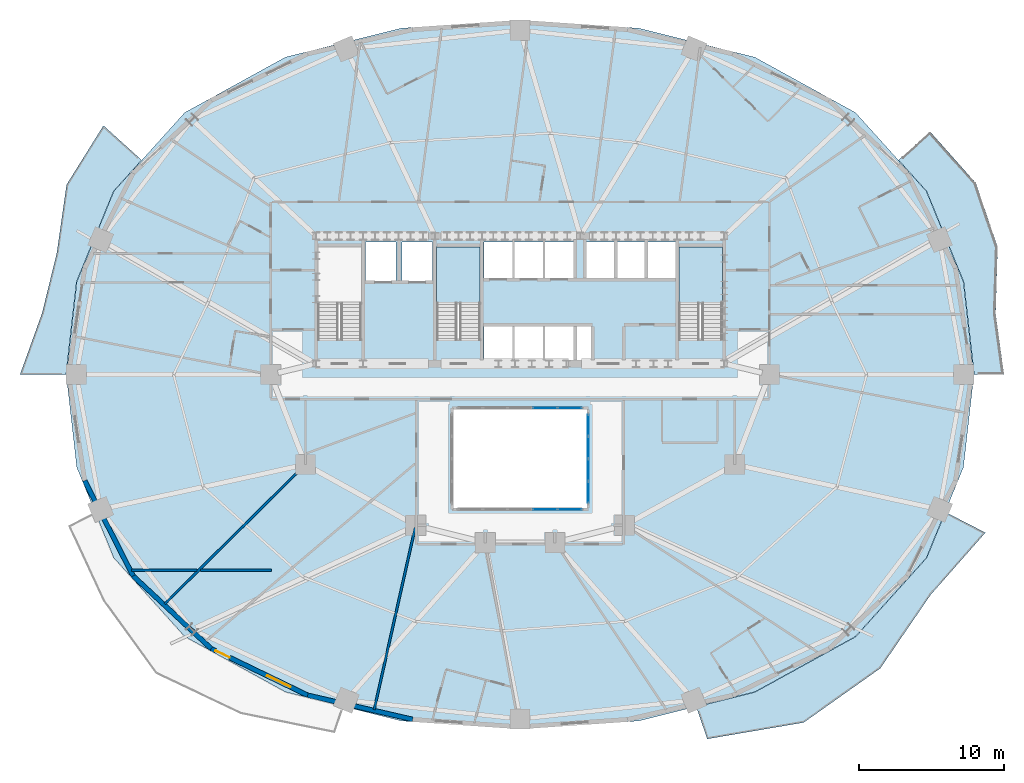
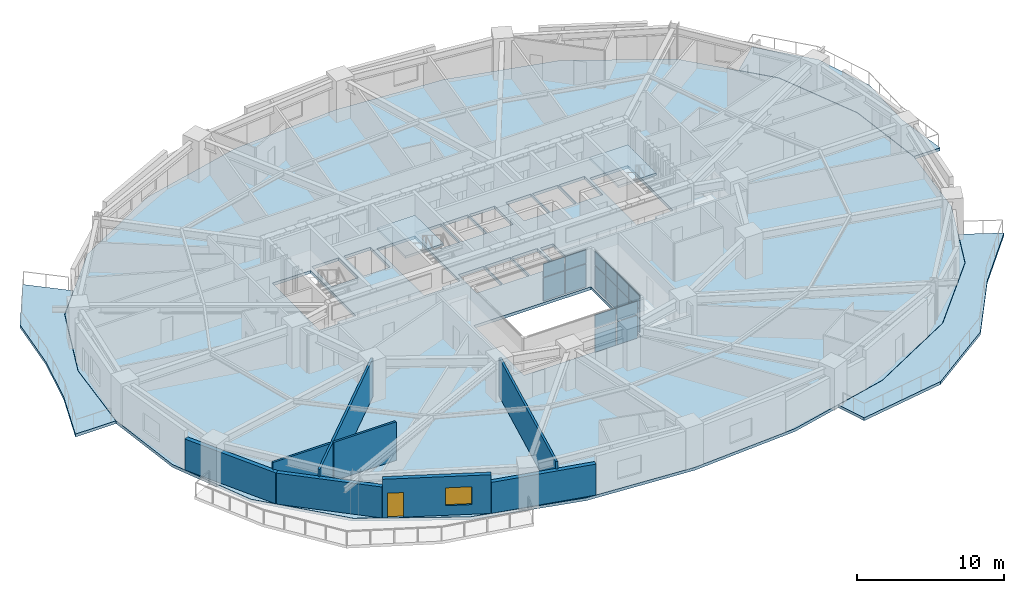
# One storey, part 8 of 17: 16 plates, 8 walls, 6 slabs, 1 door, 1 window, 2 openings, 5 elements without a shape of their own.
"""IFC4 building model written with IfcOpenShell, lengths in metres."""

from ifc_helpers import new_model, si_unit, direction, frame, frame_2d, origin, origin_2d, place, context, subcontext, project, spatial, polyline, rectangle, outline, extrude, material, layer, layer_set, type_object, element, fill, aggregate, save


model = new_model("IFC4")

# Units and contexts
model_context = context("Model", 3, precision=1e-05, world=origin(), true_north=direction((0.0, 1.0)))
body_context = subcontext(model_context, "Body", "Model", "MODEL_VIEW")
ifc_project = project(units=[si_unit("LENGTHUNIT", "METRE"), si_unit("AREAUNIT", "SQUARE_METRE"), si_unit("VOLUMEUNIT", "CUBIC_METRE"), si_unit("PLANEANGLEUNIT", "RADIAN"), si_unit("MASSUNIT", "GRAM", prefix="KILO")], contexts=[model_context])

# Site, building, storey
site_placement = place(None, origin())
site = spatial("IfcSite", under=ifc_project, at=site_placement, CompositionType="ELEMENT")
building_placement = place(site_placement, origin())
building = spatial("IfcBuilding", under=site, at=building_placement, Name="Haldorwick Loom Tower", CompositionType="ELEMENT")
storey_placement = place(building_placement, frame((0.0, 0.0, 51.60009765625)))
storey = spatial("IfcBuildingStorey", under=building, at=storey_placement, Name="L13", CompositionType="ELEMENT", Elevation=51.60009765625)

# Curtain wall, plates
ifc_material_1 = material(Name="Thermally Broken Anodized Aluminium Curtain Wall Framing", Category="aluminium")
curtain_wall_type = type_object("IfcCurtainWallType", Name="ARC-CW-03", PredefinedType="NOTDEFINED", material=ifc_material_1)
curtain_wall_1_placement = place(storey_placement, origin())
curtain_wall_1 = element("IfcCurtainWall", 1, at=curtain_wall_1_placement, inside=storey, type_object=curtain_wall_type, Name="L13 Atrium Glazed Screen S", PredefinedType="NOTDEFINED")
ifc_material_2 = material(Name="Triple-Glazed Low-E Argon Insulated Glazing Unit", Category="glass")
ifc_layer_1 = layer(ifc_material_2, 0.04296875, Name="Triple-Glazed Low-E Argon Insulated Glazing Unit", Category="glass")
ifc_layer_set_1 = layer_set([ifc_layer_1], Name="Triple-Glazed Low-E Argon Insulated Glazing Unit")
plate_type = type_object("IfcPlateType", Name="ARC-CWP-03", PredefinedType="CURTAIN_PANEL", material=ifc_layer_set_1)
plate_1_placement = place(storey_placement, frame((39.423583984375, 16.699951171875, 0.06591796875), z_axis=(0.0, 0.0, 1.0), x_axis=(-1.0, 0.0, 0.0)))
plate_1 = element("IfcPlate", 2, at=plate_1_placement, type_object=plate_type, Name="CW-03 panel 1.1", PredefinedType="CURTAIN_PANEL", context=body_context, shape_type="SweptSolid", body=[
    extrude(rectangle(XDim=1.62109375, YDim=0.04296875, at=origin_2d()), origin(), (0.0, 0.0, 1.0), 1.90087890625),
])
plate_2_placement = place(storey_placement, frame((39.423583984375, 16.699951171875, 2.03271484375), z_axis=(0.0, 0.0, 1.0), x_axis=(-1.0, 0.0, 0.0)))
plate_2 = element("IfcPlate", 3, at=plate_2_placement, type_object=plate_type, Name="CW-03 panel 1.2", PredefinedType="CURTAIN_PANEL", context=body_context, shape_type="SweptSolid", body=[
    extrude(rectangle(XDim=1.62109375, YDim=0.04296875, at=origin_2d()), origin(), (0.0, 0.0, 1.0), 1.111083984375),
])
plate_3_placement = place(storey_placement, frame((37.719970703125, 16.699951171875, 0.06591796875), z_axis=(0.0, 0.0, 1.0), x_axis=(-1.0, 0.0, 0.0)))
plate_3 = element("IfcPlate", 4, at=plate_3_placement, type_object=plate_type, Name="CW-03 panel 2.1", PredefinedType="CURTAIN_PANEL", context=body_context, shape_type="SweptSolid", body=[
    extrude(rectangle(XDim=1.654052734375, YDim=0.04296875, at=origin_2d()), origin(), (0.0, 0.0, 1.0), 1.90087890625),
])
plate_4_placement = place(storey_placement, frame((37.719970703125, 16.699951171875, 2.03271484375), z_axis=(0.0, 0.0, 1.0), x_axis=(-1.0, 0.0, 0.0)))
plate_4 = element("IfcPlate", 5, at=plate_4_placement, type_object=plate_type, Name="CW-03 panel 2.2", PredefinedType="CURTAIN_PANEL", context=body_context, shape_type="SweptSolid", body=[
    extrude(rectangle(XDim=1.654052734375, YDim=0.04296875, at=origin_2d()), origin(), (0.0, 0.0, 1.0), 1.111083984375),
])
aggregate(curtain_wall_1, [plate_1, plate_2, plate_3, plate_4])

curtain_wall_2_placement = place(storey_placement, origin())
curtain_wall_2 = element("IfcCurtainWall", 6, at=curtain_wall_2_placement, inside=storey, type_object=curtain_wall_type, Name="L13 Atrium Glazed Screen N", PredefinedType="NOTDEFINED")
plate_5_placement = place(storey_placement, frame((37.719970703125, 23.699951171875, 0.06591796875), z_axis=(0.0, 0.0, 1.0), x_axis=(1.0, 0.0, 0.0)))
plate_5 = element("IfcPlate", 7, at=plate_5_placement, type_object=plate_type, Name="CW-03 panel 4.1", PredefinedType="CURTAIN_PANEL", context=body_context, shape_type="SweptSolid", body=[
    extrude(rectangle(XDim=1.654052734375, YDim=0.04296875, at=origin_2d()), origin(), (0.0, 0.0, 1.0), 1.90087890625),
])
plate_6_placement = place(storey_placement, frame((37.719970703125, 23.699951171875, 2.03271484375), z_axis=(0.0, 0.0, 1.0), x_axis=(1.0, 0.0, 0.0)))
plate_6 = element("IfcPlate", 8, at=plate_6_placement, type_object=plate_type, Name="CW-03 panel 4.2", PredefinedType="CURTAIN_PANEL", context=body_context, shape_type="SweptSolid", body=[
    extrude(rectangle(XDim=1.654052734375, YDim=0.04296875, at=origin_2d()), origin(), (0.0, 0.0, 1.0), 1.111083984375),
])
plate_7_placement = place(storey_placement, frame((39.423583984375, 23.699951171875, 0.06591796875), z_axis=(0.0, 0.0, 1.0), x_axis=(1.0, 0.0, 0.0)))
plate_7 = element("IfcPlate", 9, at=plate_7_placement, type_object=plate_type, Name="CW-03 panel 5.1", PredefinedType="CURTAIN_PANEL", context=body_context, shape_type="SweptSolid", body=[
    extrude(rectangle(XDim=1.62109375, YDim=0.04296875, at=origin_2d()), origin(), (0.0, 0.0, 1.0), 1.90087890625),
])
plate_8_placement = place(storey_placement, frame((39.423583984375, 23.699951171875, 2.03271484375), z_axis=(0.0, 0.0, 1.0), x_axis=(1.0, 0.0, 0.0)))
plate_8 = element("IfcPlate", 10, at=plate_8_placement, type_object=plate_type, Name="CW-03 panel 5.2", PredefinedType="CURTAIN_PANEL", context=body_context, shape_type="SweptSolid", body=[
    extrude(rectangle(XDim=1.62109375, YDim=0.04296875, at=origin_2d()), origin(), (0.0, 0.0, 1.0), 1.111083984375),
])
aggregate(curtain_wall_2, [plate_5, plate_6, plate_7, plate_8])

curtain_wall_3_placement = place(storey_placement, origin())
curtain_wall_3 = element("IfcCurtainWall", 11, at=curtain_wall_3_placement, inside=storey, type_object=curtain_wall_type, Name="L13 Atrium Glazed Screen E", PredefinedType="NOTDEFINED")
plate_9_placement = place(storey_placement, frame((40.699951171875, 22.508544921875, 0.06591796875), z_axis=(0.0, 0.0, 1.0), x_axis=(0.0, -1.0, 0.0)))
plate_9 = element("IfcPlate", 12, at=plate_9_placement, type_object=plate_type, Name="CW-03 panel 1.1", PredefinedType="CURTAIN_PANEL", context=body_context, shape_type="SweptSolid", body=[
    extrude(rectangle(XDim=1.450927734375, YDim=0.04296875, at=origin_2d()), origin(), (0.0, 0.0, 1.0), 1.90087890625),
])
plate_10_placement = place(storey_placement, frame((40.699951171875, 22.508544921875, 2.03271484375), z_axis=(0.0, 0.0, 1.0), x_axis=(0.0, -1.0, 0.0)))
plate_10 = element("IfcPlate", 13, at=plate_10_placement, type_object=plate_type, Name="CW-03 panel 1.2", PredefinedType="CURTAIN_PANEL", context=body_context, shape_type="SweptSolid", body=[
    extrude(rectangle(XDim=1.450927734375, YDim=0.04296875, at=origin_2d()), origin(), (0.0, 0.0, 1.0), 1.111083984375),
])
plate_11_placement = place(storey_placement, frame((40.699951171875, 20.97509765625, 0.06591796875), z_axis=(0.0, 0.0, 1.0), x_axis=(0.0, -1.0, 0.0)))
plate_11 = element("IfcPlate", 14, at=plate_11_placement, type_object=plate_type, Name="CW-03 panel 2.1", PredefinedType="CURTAIN_PANEL", context=body_context, shape_type="SweptSolid", body=[
    extrude(rectangle(XDim=1.48388671875, YDim=0.04296875, at=origin_2d()), origin(), (0.0, 0.0, 1.0), 1.90087890625),
])
plate_12_placement = place(storey_placement, frame((40.699951171875, 20.97509765625, 2.03271484375), z_axis=(0.0, 0.0, 1.0), x_axis=(0.0, -1.0, 0.0)))
plate_12 = element("IfcPlate", 15, at=plate_12_placement, type_object=plate_type, Name="CW-03 panel 2.2", PredefinedType="CURTAIN_PANEL", context=body_context, shape_type="SweptSolid", body=[
    extrude(rectangle(XDim=1.48388671875, YDim=0.04296875, at=origin_2d()), origin(), (0.0, 0.0, 1.0), 1.111083984375),
])
plate_13_placement = place(storey_placement, frame((40.699951171875, 19.425048828125, 0.06591796875), z_axis=(0.0, 0.0, 1.0), x_axis=(0.0, -1.0, 0.0)))
plate_13 = element("IfcPlate", 16, at=plate_13_placement, type_object=plate_type, Name="CW-03 panel 3.1", PredefinedType="CURTAIN_PANEL", context=body_context, shape_type="SweptSolid", body=[
    extrude(rectangle(XDim=1.48388671875, YDim=0.04296875, at=origin_2d()), origin(), (0.0, 0.0, 1.0), 1.90087890625),
])
plate_14_placement = place(storey_placement, frame((40.699951171875, 19.425048828125, 2.03271484375), z_axis=(0.0, 0.0, 1.0), x_axis=(0.0, -1.0, 0.0)))
plate_14 = element("IfcPlate", 17, at=plate_14_placement, type_object=plate_type, Name="CW-03 panel 3.2", PredefinedType="CURTAIN_PANEL", context=body_context, shape_type="SweptSolid", body=[
    extrude(rectangle(XDim=1.48388671875, YDim=0.04296875, at=origin_2d()), origin(), (0.0, 0.0, 1.0), 1.111083984375),
])
plate_15_placement = place(storey_placement, frame((40.699951171875, 17.8916015625, 0.06591796875), z_axis=(0.0, 0.0, 1.0), x_axis=(0.0, -1.0, 0.0)))
plate_15 = element("IfcPlate", 18, at=plate_15_placement, type_object=plate_type, Name="CW-03 panel 4.1", PredefinedType="CURTAIN_PANEL", context=body_context, shape_type="SweptSolid", body=[
    extrude(rectangle(XDim=1.450927734375, YDim=0.04296875, at=origin_2d()), origin(), (0.0, 0.0, 1.0), 1.90087890625),
])
plate_16_placement = place(storey_placement, frame((40.699951171875, 17.8916015625, 2.03271484375), z_axis=(0.0, 0.0, 1.0), x_axis=(0.0, -1.0, 0.0)))
plate_16 = element("IfcPlate", 19, at=plate_16_placement, type_object=plate_type, Name="CW-03 panel 4.2", PredefinedType="CURTAIN_PANEL", context=body_context, shape_type="SweptSolid", body=[
    extrude(rectangle(XDim=1.450927734375, YDim=0.04296875, at=origin_2d()), origin(), (0.0, 0.0, 1.0), 1.111083984375),
])
aggregate(curtain_wall_3, [plate_9, plate_10, plate_11, plate_12, plate_13, plate_14, plate_15, plate_16])

# Slabs
ifc_material_3 = material(Name="Concrete C40 (40 MPa)", Category="concrete")
ifc_layer_2 = layer(ifc_material_3, 0.239990234375, Name="Concrete C40 (40 MPa)", Category="concrete")
ifc_layer_set_2 = layer_set([ifc_layer_2], Name="Concrete C40 (40 MPa)")
slab_type_1 = type_object("IfcSlabType", Name="STR-SLB-BAL240", PredefinedType="FLOOR", material=ifc_layer_set_2)
slab_1_placement = place(storey_placement, frame((0.0, 0.0, -0.239990234375)))
element("IfcSlab", 20, at=slab_1_placement, inside=storey, type_object=slab_type_1, Name="L13 Sinusoidal Balcony Terrace BAL_SE", PredefinedType="FLOOR", context=body_context, shape_type="SweptSolid", body=[
    extrude(outline(polyline([(65.324462890625, 16.517333984375), (64.031494140625, 13.356689453125), (64.031005859375, 13.355712890625), (64.030517578125, 13.3544921875), (64.02978515625, 13.353515625), (64.02880859375, 13.3525390625), (59.13623046875, 7.92333984375), (59.13525390625, 7.922119140625), (59.1337890625, 7.921142578125), (59.13232421875, 7.92041015625), (52.18310546875, 4.09814453125), (52.18212890625, 4.097412109375), (52.180908203125, 4.096923828125), (52.1796875, 4.0966796875), (48.152587890625, 3.09130859375), (48.90283203125, 0.873046875), (55.558837890625, 2.0087890625), (60.8359375, 5.743896484375), (64.298095703125, 10.80224609375), (68.083740234375, 15.09716796875), (65.324462890625, 16.517333984375)])), origin(), (0.0, 0.0, 1.0), 0.239990234375),
])
slab_2_placement = place(storey_placement, frame((0.0, 0.0, -0.239990234375)))
element("IfcSlab", 21, at=slab_2_placement, inside=storey, type_object=slab_type_1, Name="L13 Sinusoidal Balcony Terrace BAL_WNW", PredefinedType="FLOOR", context=body_context, shape_type="SweptSolid", body=[
    extrude(outline(polyline([(4.68896484375, 26.0), (4.689208984375, 26.001708984375), (5.41552734375, 32.40087890625), (5.415771484375, 32.40234375), (5.416015625, 32.40380859375), (5.41650390625, 32.405029296875), (7.968505859375, 38.643310546875), (7.968994140625, 38.644287109375), (7.969482421875, 38.6455078125), (7.97021484375, 38.646484375), (7.97119140625, 38.6474609375), (9.901611328125, 40.789794921875), (7.270751953125, 43.16943359375), (4.729736328125, 39.09912109375), (4.054443359375, 34.3876953125), (3.037353515625, 30.230224609375), (1.515625, 26.0), (4.68896484375, 26.0)])), origin(), (0.0, 0.0, 1.0), 0.239990234375),
])
slab_3_placement = place(storey_placement, frame((0.0, 0.0, -0.239990234375)))
element("IfcSlab", 22, at=slab_3_placement, inside=storey, type_object=slab_type_1, Name="L13 Sinusoidal Balcony Terrace BAL_ENE", PredefinedType="FLOOR", context=body_context, shape_type="SweptSolid", body=[
    extrude(outline(polyline([(62.0986328125, 40.78955078125), (64.02880859375, 38.6474609375), (64.02978515625, 38.646484375), (64.030517578125, 38.6455078125), (64.031005859375, 38.644287109375), (64.031494140625, 38.643310546875), (66.58349609375, 32.405029296875), (66.583984375, 32.40380859375), (66.584228515625, 32.40234375), (66.58447265625, 32.40087890625), (67.310791015625, 26.001708984375), (67.31103515625, 26.0), (69.36767578125, 26.0), (68.79150390625, 30.195556640625), (68.92626953125, 34.795654296875), (67.42822265625, 39.202392578125), (64.275146484375, 42.747314453125), (62.0986328125, 40.78955078125)])), origin(), (0.0, 0.0, 1.0), 0.239990234375),
])

# Stair, slab
stair_type = type_object("IfcStairType", Name="STR-STR-CORE", PredefinedType="HALF_TURN_STAIR", material=ifc_material_3)
stair_1_placement = place(storey_placement, origin())
stair_1 = element("IfcStair", 23, at=stair_1_placement, inside=storey, type_object=stair_type, Name="L13 Exit Stair ST-02", PredefinedType="HALF_TURN_STAIR")
ifc_layer_3 = layer(ifc_material_3, 0.199951171875, Name="Concrete C40 (40 MPa)", Category="concrete")
ifc_layer_set_3 = layer_set([ifc_layer_3], Name="Concrete C40 (40 MPa)")
slab_type_2 = type_object("IfcSlabType", Name="STR-SLB-LAND200", PredefinedType="LANDING", material=ifc_layer_set_3)
slab_4_placement = place(storey_placement, frame((0.0, 0.0, 1.52490234375)))
slab_4 = element("IfcSlab", 24, at=slab_4_placement, type_object=slab_type_2, Name="ST-02 landing 1", PredefinedType="LANDING", context=body_context, shape_type="SweptSolid", body=[
    extrude(outline(polyline([(49.949951171875, 30.919921875), (49.949951171875, 34.800048828125), (46.949951171875, 34.800048828125), (46.949951171875, 30.919921875), (49.949951171875, 30.919921875)])), origin(), (0.0, 0.0, 1.0), 0.199951171875),
])
aggregate(stair_1, [slab_4])

stair_2_placement = place(storey_placement, origin())
stair_2 = element("IfcStair", 25, at=stair_2_placement, inside=storey, type_object=stair_type, Name="L13 Exit Stair ST-03", PredefinedType="HALF_TURN_STAIR")
slab_5_placement = place(storey_placement, frame((0.0, 0.0, 1.52490234375)))
slab_5 = element("IfcSlab", 26, at=slab_5_placement, type_object=slab_type_2, Name="ST-03 landing 1", PredefinedType="LANDING", context=body_context, shape_type="SweptSolid", body=[
    extrude(outline(polyline([(33.25, 30.919921875), (33.25, 34.800048828125), (30.25, 34.800048828125), (30.25, 30.919921875), (33.25, 30.919921875)])), origin(), (0.0, 0.0, 1.0), 0.199951171875),
])
aggregate(stair_2, [slab_5])

# Slab
ifc_layer_4 = layer(ifc_material_3, 0.239990234375, Name="Concrete C40 (40 MPa)", Category="concrete")
ifc_layer_set_4 = layer_set([ifc_layer_4], Name="Concrete C40 (40 MPa)")
slab_type_3 = type_object("IfcSlabType", Name="STR-SLB-RES240", PredefinedType="FLOOR", material=ifc_layer_set_4)
slab_6_placement = place(storey_placement, frame((0.0, 0.0, -0.239990234375)))
element("IfcSlab", 27, at=slab_6_placement, inside=storey, type_object=slab_type_3, Name="L13 Residential Structural Floor Slab", PredefinedType="FLOOR", context=body_context, shape_type="SweptSolid", body=[
    extrude(outline(polyline([(59.125244140625, 7.933349609375), (64.017578125, 13.362548828125), (66.569580078125, 19.6005859375), (67.2958984375, 26.0), (66.569580078125, 32.3994140625), (64.017578125, 38.637451171875), (59.125244140625, 44.066650390625), (52.176025390625, 47.888916015625), (44.191162109375, 49.882568359375), (36.0, 50.449951171875), (27.808837890625, 49.882568359375), (19.823974609375, 47.888916015625), (12.874755859375, 44.066650390625), (7.982421875, 38.637451171875), (5.430419921875, 32.3994140625), (4.7041015625, 26.0), (5.430419921875, 19.6005859375), (7.982421875, 13.362548828125), (12.874755859375, 7.933349609375), (19.823974609375, 4.111083984375), (27.808837890625, 2.117431640625), (36.0, 1.550048828125), (44.191162109375, 2.117431640625), (52.176025390625, 4.111083984375), (59.125244140625, 7.933349609375)]), holes=[polyline([(31.39990234375, 23.60009765625), (40.60009765625, 23.60009765625), (40.60009765625, 16.800048828125), (31.39990234375, 16.800048828125), (31.39990234375, 23.60009765625)]), polyline([(33.5, 26.85009765625), (33.5, 29.35009765625), (35.5, 29.35009765625), (35.5, 26.85009765625), (33.5, 26.85009765625)]), polyline([(22.050048828125, 28.39990234375), (22.050048828125, 34.800048828125), (25.050048828125, 34.800048828125), (25.050048828125, 28.639892578125), (23.6201171875, 28.639892578125), (23.6201171875, 28.39990234375), (22.050048828125, 28.39990234375)]), polyline([(30.25, 28.39990234375), (30.25, 34.800048828125), (33.25, 34.800048828125), (33.25, 28.639892578125), (31.820068359375, 28.639892578125), (31.820068359375, 28.39990234375), (30.25, 28.39990234375)]), polyline([(25.35009765625, 32.449951171875), (25.35009765625, 35.14990234375), (27.449951171875, 35.14990234375), (27.449951171875, 32.449951171875), (25.35009765625, 32.449951171875)]), polyline([(27.85009765625, 32.449951171875), (27.85009765625, 35.14990234375), (29.949951171875, 35.14990234375), (29.949951171875, 32.449951171875), (27.85009765625, 32.449951171875)]), polyline([(33.5, 32.64990234375), (33.5, 35.14990234375), (35.5, 35.14990234375), (35.5, 32.64990234375), (33.5, 32.64990234375)]), polyline([(35.60009765625, 32.64990234375), (35.60009765625, 35.14990234375), (37.60009765625, 35.14990234375), (37.60009765625, 32.64990234375), (35.60009765625, 32.64990234375)]), polyline([(35.60009765625, 26.85009765625), (35.60009765625, 29.35009765625), (37.60009765625, 29.35009765625), (37.60009765625, 26.85009765625), (35.60009765625, 26.85009765625)]), polyline([(37.699951171875, 26.85009765625), (37.699951171875, 29.35009765625), (39.699951171875, 29.35009765625), (39.699951171875, 26.85009765625), (37.699951171875, 26.85009765625)]), polyline([(39.89990234375, 26.89990234375), (39.89990234375, 29.300048828125), (40.89990234375, 29.300048828125), (40.89990234375, 26.89990234375), (39.89990234375, 26.89990234375)]), polyline([(46.949951171875, 28.39990234375), (46.949951171875, 34.800048828125), (49.949951171875, 34.800048828125), (49.949951171875, 28.639892578125), (48.52001953125, 28.639892578125), (48.52001953125, 28.39990234375), (46.949951171875, 28.39990234375)]), polyline([(37.699951171875, 32.64990234375), (37.699951171875, 35.14990234375), (39.699951171875, 35.14990234375), (39.699951171875, 32.64990234375), (37.699951171875, 32.64990234375)]), polyline([(40.550048828125, 32.64990234375), (40.550048828125, 35.14990234375), (42.550048828125, 35.14990234375), (42.550048828125, 32.64990234375), (40.550048828125, 32.64990234375)]), polyline([(42.64990234375, 32.64990234375), (42.64990234375, 35.14990234375), (44.64990234375, 35.14990234375), (44.64990234375, 32.64990234375), (42.64990234375, 32.64990234375)]), polyline([(44.75, 32.64990234375), (44.75, 35.14990234375), (46.75, 35.14990234375), (46.75, 32.64990234375), (44.75, 32.64990234375)])]), origin(), (0.0, 0.0, 1.0), 0.239990234375),
])

# Walls
ifc_material_4 = material(Name="Pressed Clay Face Brick and Insulated Masonry Backup Assembly", Category="masonry")
ifc_layer_5 = layer(ifc_material_4, 0.320068359375, Name="Pressed Clay Face Brick and Insulated Masonry Backup Assembly", Category="masonry")
ifc_layer_set_5 = layer_set([ifc_layer_5], Name="Pressed Clay Face Brick and Insulated Masonry Backup Assembly")
wall_type_1 = type_object("IfcWallType", Name="ARC-WL-EXT320", PredefinedType="STANDARD", material=ifc_layer_set_5)
for number, where, z_axis, x_axis, name in (
    (28, (5.978271484375, 18.679443359375, 0.0), (0.0, 0.0, 1.0), (0.452950855928, -0.891535485617, 0.0), "L13 Brick Pier and Spandrel Wall 14"),
    (29, (9.311279296875, 12.119140625, 0.0), (0.0, 0.0, 1.0), (0.73176101237, -0.681561311091, 0.0), "L13 Brick Pier and Spandrel Wall 15"),
):
    element("IfcWall", number, at=place(storey_placement, frame(where, z_axis=z_axis, x_axis=x_axis)), inside=storey, type_object=wall_type_1, Name=name, PredefinedType="STANDARD", context=body_context, shape_type="SweptSolid", body=[
        extrude(rectangle(XDim=7.3583984375, YDim=0.320068359375, at=frame_2d((3.67919921875, 0.0))), origin(), (0.0, 0.0, 1.0), 2.56884765625),
    ])

# Wall, openings, door, window
wall_1_placement = place(storey_placement, frame((14.69580078125, 7.10400390625, 0.0), z_axis=(0.0, 0.0, 1.0), x_axis=(0.900295710431, -0.435278800057, 0.0)))
wall_1 = element("IfcWall", 30, at=wall_1_placement, inside=storey, type_object=wall_type_1, Name="L13 Brick Pier and Spandrel Wall 16", PredefinedType="STANDARD", context=body_context, shape_type="SweptSolid", body=[
    extrude(rectangle(XDim=7.39697265625, YDim=0.320068359375, at=frame_2d((3.698486328125, 0.0))), origin(), (0.0, 0.0, 1.0), 3.2099609375),
])
opening_1_placement = place(wall_1_placement, frame((0.340087890625, 0.0, 0.0)))
opening_1 = element("IfcOpeningElement", 31, at=opening_1_placement, cuts=wall_1, Name="Opening D-BL11", PredefinedType="OPENING", context=body_context, shape_type="SweptSolid", body=[
    extrude(rectangle(XDim=1.080078125, YDim=2.0400390625, at=frame_2d((0.5400390625, 1.02001953125))), frame((0.0, 0.169921875, 0.0), z_axis=(0.0, -1.0, 0.0), x_axis=(1.0, 0.0, 0.0)), (0.0, 0.0, 1.0), 0.340087890625),
])
opening_2_placement = place(wall_1_placement, frame((4.27783203125, 0.0, 0.800048828125)))
opening_2 = element("IfcOpeningElement", 32, at=opening_2_placement, cuts=wall_1, Name="Opening W-01", PredefinedType="OPENING", context=body_context, shape_type="SweptSolid", body=[
    extrude(rectangle(XDim=1.800048828125, YDim=1.47998046875, at=frame_2d((0.89990234375, 0.739990234375))), frame((0.0, 0.169921875, 0.0), z_axis=(0.0, -1.0, 0.0), x_axis=(1.0, 0.0, 0.0)), (0.0, 0.0, 1.0), 0.340087890625),
])
door_type = type_object("IfcDoorType", Name="ARC-DR-BAL110", OperationType="NOTDEFINED", PredefinedType="DOOR", material=ifc_material_1)
door_placement = place(opening_1_placement, origin())
door = element("IfcDoor", 33, at=door_placement, inside=storey, type_object=door_type, Name="L13 Outdoor Terrace Door SLB-L13-BAL_SW", OperationType="SINGLE_SWING_RIGHT", OverallHeight=2.0400390625, OverallWidth=1.080078125, PredefinedType="DOOR", context=body_context, shape_type="SweptSolid", body=[
    extrude(rectangle(XDim=1.080078125, YDim=2.0400390625, at=frame_2d((0.5400390625, 1.02001953125))), frame((0.0, 0.02490234375, 0.0), z_axis=(0.0, -1.0, 0.0), x_axis=(1.0, 0.0, 0.0)), (0.0, 0.0, 1.0), 0.050048828125),
])
fill(opening_1, door)
window_type = type_object("IfcWindowType", Name="ARC-WIN-W180", PartitioningType="SINGLE_PANEL", PredefinedType="WINDOW", material=ifc_material_2)
window_placement = place(opening_2_placement, origin())
window = element("IfcWindow", 34, at=window_placement, inside=storey, type_object=window_type, Name="L13 Deep-Set Zone 7A Window 16", OverallHeight=1.47998046875, OverallWidth=1.800048828125, PartitioningType="SINGLE_PANEL", PredefinedType="WINDOW", context=body_context, shape_type="SweptSolid", body=[
    extrude(rectangle(XDim=1.800048828125, YDim=1.47998046875, at=frame_2d((0.89990234375, 0.739990234375))), frame((0.0, 0.030029296875, 0.0), z_axis=(0.0, -1.0, 0.0), x_axis=(1.0, 0.0, 0.0)), (0.0, 0.0, 1.0), 0.06005859375),
])
fill(opening_2, window)

# Walls
wall_2_placement = place(storey_placement, frame((21.355224609375, 3.88427734375, 0.0), z_axis=(0.0, 0.0, 1.0), x_axis=(0.974522412345, -0.224290142088, 0.0)))
element("IfcWall", 35, at=wall_2_placement, inside=storey, type_object=wall_type_1, Name="L13 Brick Pier and Spandrel Wall 17", PredefinedType="STANDARD", context=body_context, shape_type="SweptSolid", body=[
    extrude(rectangle(XDim=7.422607421875, YDim=0.320068359375, at=frame_2d((3.71142578125, 0.0))), origin(), (0.0, 0.0, 1.0), 2.56884765625),
])
ifc_material_5 = material(Name="Fire-Rated Type X Gypsum Stud Assembly EI 60")
ifc_layer_6 = layer(ifc_material_5, 0.159912109375, Name="Fire-Rated Type X Gypsum Stud Assembly EI 60")
ifc_layer_set_6 = layer_set([ifc_layer_6], Name="Fire-Rated Type X Gypsum Stud Assembly EI 60")
wall_type_2 = type_object("IfcWallType", Name="ARC-WL-FIRE160", PredefinedType="PARTITIONING", material=ifc_layer_set_6)
wall_3_placement = place(storey_placement, frame((28.76708984375, 15.45361328125, 0.0), z_axis=(0.0, 0.0, 1.0), x_axis=(-0.21976718315, -0.97555234878, 0.0)))
element("IfcWall", 36, at=wall_3_placement, inside=storey, type_object=wall_type_2, Name="L13 Residential Fire Partition L13-ICR-10", PredefinedType="PARTITIONING", context=body_context, shape_type="SweptSolid", body=[
    extrude(rectangle(XDim=12.8720703125, YDim=0.159912109375, at=frame_2d((6.43603515625, 0.0))), origin(), (0.0, 0.0, 1.0), 3.19482421875),
])
wall_4_placement = place(storey_placement, frame((21.199951171875, 19.800048828125, 0.0), z_axis=(0.0, 0.0, 1.0), x_axis=(-0.710429801282, -0.703768070781, 0.0)))
element("IfcWall", 37, at=wall_4_placement, inside=storey, type_object=wall_type_2, Name="L13 Residential Fire Partition L13-ICR-12", PredefinedType="PARTITIONING", context=body_context, shape_type="SweptSolid", body=[
    extrude(rectangle(XDim=13.669677734375, YDim=0.159912109375, at=frame_2d((6.8349609375, 0.0))), origin(), (0.0, 0.0, 1.0), 3.19482421875),
])
wall_5_placement = place(storey_placement, frame((9.190673828125, 12.5, 0.0), z_axis=(0.0, 0.0, 1.0), x_axis=(1.0, 0.0, 0.0)))
element("IfcWall", 38, at=wall_5_placement, inside=storey, type_object=wall_type_2, Name="L13 Residential Fire Partition L13-FLW-19", PredefinedType="PARTITIONING", context=body_context, shape_type="SweptSolid", body=[
    extrude(rectangle(XDim=4.522216796875, YDim=0.159912109375, at=frame_2d((2.26123046875, 0.0))), origin(), (0.0, 0.0, 1.0), 3.19482421875),
])
wall_6_placement = place(storey_placement, frame((13.94873046875, 12.5, 0.0), z_axis=(0.0, 0.0, 1.0), x_axis=(1.0, 0.0, 0.0)))
element("IfcWall", 39, at=wall_6_placement, inside=storey, type_object=wall_type_2, Name="L13 Residential Fire Partition L13-FLW-19", PredefinedType="PARTITIONING", context=body_context, shape_type="SweptSolid", body=[
    extrude(rectangle(XDim=4.9013671875, YDim=0.159912109375, at=frame_2d((2.45068359375, 0.0))), origin(), (0.0, 0.0, 1.0), 3.19482421875),
])

save(model, "model.ifc")
